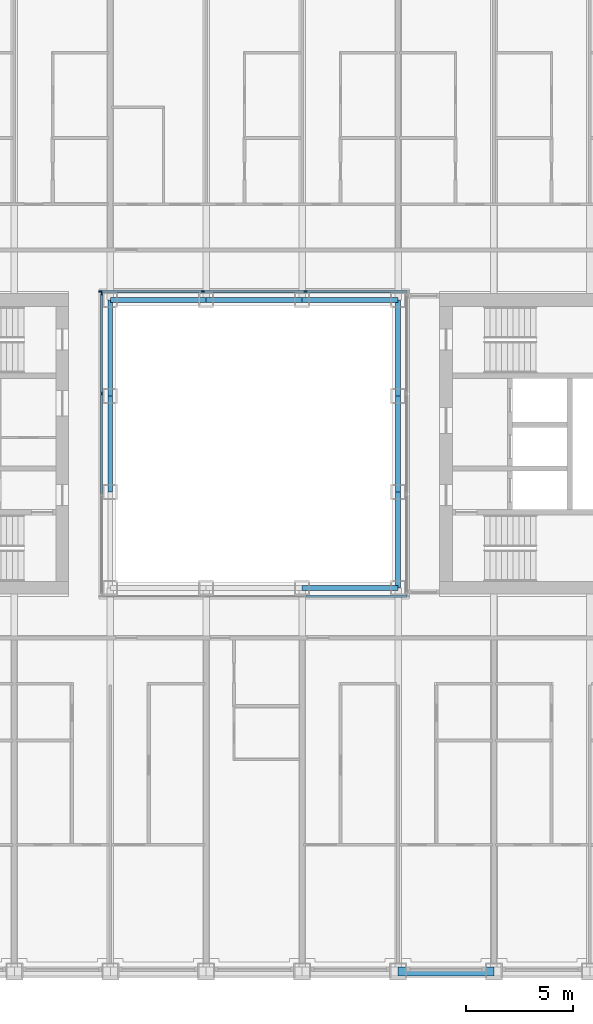
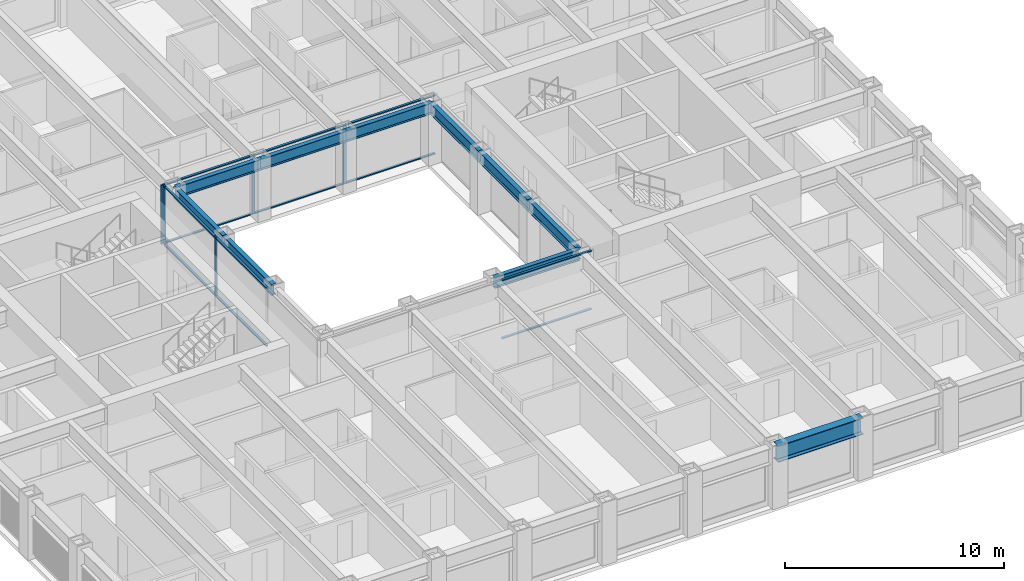
# One storey, part 4 of 21: 17 members, 10 beams, 3 elements without a shape of their own.
"""IFC4 building model written with IfcOpenShell, lengths in metres."""

from ifc_helpers import new_model, si_unit, direction, frame, origin, origin_2d, place, context, subcontext, project, spatial, rectangle, i_section, extrude, material, material_profile, profile_set, type_object, element, aggregate, save


model = new_model("IFC4")

# Units and contexts
model_context = context("Model", 3, precision=1e-05, world=origin(), true_north=direction((0.0, 1.0)))
body_context = subcontext(model_context, "Body", "Model", "MODEL_VIEW")
ifc_project = project(units=[si_unit("LENGTHUNIT", "METRE"), si_unit("AREAUNIT", "SQUARE_METRE"), si_unit("VOLUMEUNIT", "CUBIC_METRE"), si_unit("PLANEANGLEUNIT", "RADIAN"), si_unit("MASSUNIT", "GRAM", prefix="KILO")], contexts=[model_context])

# Site, building, storey
site_placement = place(None, origin())
site = spatial("IfcSite", under=ifc_project, at=site_placement, CompositionType="ELEMENT")
building_placement = place(site_placement, origin())
building = spatial("IfcBuilding", under=site, at=building_placement, Name="Msasa Ring Tower", CompositionType="ELEMENT")
storey_placement = place(building_placement, frame((0.0, 0.0, 75.5)))
storey = spatial("IfcBuildingStorey", under=building, at=storey_placement, Name="L19", CompositionType="ELEMENT", Elevation=75.5)

# Curtain wall, members
ifc_material_1 = material(Name="Aluminium curtain wall with clear glass", Category="aluminium")
curtain_wall_type = type_object("IfcCurtainWallType", Name="CW-W LIGHT WELL CURTAIN WALL", PredefinedType="NOTDEFINED", material=ifc_material_1)
curtain_wall_1_placement = place(storey_placement, origin())
curtain_wall_1 = element("IfcCurtainWall", 1, at=curtain_wall_1_placement, inside=storey, type_object=curtain_wall_type, Name="Light well curtain wall N L19", PredefinedType="NOTDEFINED")
ifc_material_2 = material(Name="Aluminium mullion", Category="aluminium")
ifc_material_profile_1 = material_profile(ifc_material_2, rectangle(XDim=0.06005859375, YDim=0.159912109375, at=origin_2d()), Name="AL 60x160")
ifc_profile_set_1 = profile_set([ifc_material_profile_1], Name="Aluminium mullion")
member_type_1 = type_object("IfcMemberType", Name="CW-W MULLION 60x160", PredefinedType="MULLION", material=ifc_profile_set_1)
member_1_placement = place(storey_placement, frame((-7.199951171875, 7.14990234375, 0.0), z_axis=(0.0, 0.0, 1.0), x_axis=(0.0, 1.0, 0.0)))
member_1 = element("IfcMember", 2, at=member_1_placement, type_object=member_type_1, Name="CW-W mullion 1", PredefinedType="MULLION", context=body_context, shape_type="SweptSolid", body=[
    extrude(rectangle(XDim=0.06005859375, YDim=0.159912109375, at=origin_2d()), origin(), (0.0, 0.0, 1.0), 3.300048828125),
])
member_2_placement = place(storey_placement, frame((-2.409912109375, 7.14990234375, 0.0), z_axis=(0.0, 0.0, 1.0), x_axis=(0.0, 1.0, 0.0)))
member_2 = element("IfcMember", 3, at=member_2_placement, type_object=member_type_1, Name="CW-W mullion 2", PredefinedType="MULLION", context=body_context, shape_type="SweptSolid", body=[
    extrude(rectangle(XDim=0.06005859375, YDim=0.159912109375, at=origin_2d()), origin(), (0.0, 0.0, 1.0), 3.300048828125),
])
member_3_placement = place(storey_placement, frame((2.409912109375, 7.14990234375, 0.0), z_axis=(0.0, 0.0, 1.0), x_axis=(0.0, 1.0, 0.0)))
member_3 = element("IfcMember", 4, at=member_3_placement, type_object=member_type_1, Name="CW-W mullion 3", PredefinedType="MULLION", context=body_context, shape_type="SweptSolid", body=[
    extrude(rectangle(XDim=0.06005859375, YDim=0.159912109375, at=origin_2d()), origin(), (0.0, 0.0, 1.0), 3.300048828125),
])

curtain_wall_2_placement = place(storey_placement, origin())
curtain_wall_2 = element("IfcCurtainWall", 5, at=curtain_wall_2_placement, inside=storey, type_object=curtain_wall_type, Name="Light well curtain wall W L19", PredefinedType="NOTDEFINED")
member_4_placement = place(storey_placement, frame((-7.14990234375, 2.356689453125, 0.0), z_axis=(0.0, 0.0, 1.0), x_axis=(-1.0, 0.0, 0.0)))
member_4 = element("IfcMember", 6, at=member_4_placement, type_object=member_type_1, Name="CW-W mullion 3", PredefinedType="MULLION", context=body_context, shape_type="SweptSolid", body=[
    extrude(rectangle(XDim=0.06005859375, YDim=0.159912109375, at=origin_2d()), origin(), (0.0, 0.0, 1.0), 3.300048828125),
])
member_5_placement = place(storey_placement, frame((-7.14990234375, 7.0400390625, 0.0), z_axis=(0.0, 0.0, 1.0), x_axis=(-1.0, 0.0, 0.0)))
member_5 = element("IfcMember", 7, at=member_5_placement, type_object=member_type_1, Name="CW-W mullion 4", PredefinedType="MULLION", context=body_context, shape_type="SweptSolid", body=[
    extrude(rectangle(XDim=0.06005859375, YDim=0.159912109375, at=origin_2d()), origin(), (0.0, 0.0, 1.0), 3.300048828125),
])

# Member
ifc_material_3 = material(Name="Aluminium transom", Category="aluminium")
ifc_material_profile_2 = material_profile(ifc_material_3, rectangle(XDim=0.1201171875, YDim=0.06005859375, at=origin_2d()), Name="AL 60x120")
ifc_profile_set_2 = profile_set([ifc_material_profile_2], Name="Aluminium transom")
member_type_2 = type_object("IfcMemberType", Name="CW-W TRANSOM 60x120", PredefinedType="USERDEFINED", material=ifc_profile_set_2)
member_6_placement = place(storey_placement, frame((-7.169921875, 7.14990234375, 0.030029296875), z_axis=(1.0, 0.0, 0.0), x_axis=(0.0, 1.0, 0.0)))
member_6 = element("IfcMember", 8, at=member_6_placement, type_object=member_type_2, Name="CW-W transom 1.1", ObjectType="TRANSOM", PredefinedType="USERDEFINED", context=body_context, shape_type="SweptSolid", body=[
    extrude(rectangle(XDim=0.1201171875, YDim=0.06005859375, at=origin_2d()), origin(), (0.0, 0.0, 1.0), 4.72998046875),
])

member_7_placement = place(storey_placement, frame((-7.169921875, 7.14990234375, 3.27001953125), z_axis=(1.0, 0.0, 0.0), x_axis=(0.0, 1.0, 0.0)))
member_7 = element("IfcMember", 9, at=member_7_placement, type_object=member_type_2, Name="CW-W transom 1.2", ObjectType="TRANSOM", PredefinedType="USERDEFINED", context=body_context, shape_type="SweptSolid", body=[
    extrude(rectangle(XDim=0.1201171875, YDim=0.06005859375, at=origin_2d()), origin(), (0.0, 0.0, 1.0), 4.72998046875),
])

member_8_placement = place(storey_placement, frame((-2.3798828125, 7.14990234375, 0.030029296875), z_axis=(1.0, 0.0, 0.0), x_axis=(0.0, 1.0, 0.0)))
member_8 = element("IfcMember", 10, at=member_8_placement, type_object=member_type_2, Name="CW-W transom 2.1", ObjectType="TRANSOM", PredefinedType="USERDEFINED", context=body_context, shape_type="SweptSolid", body=[
    extrude(rectangle(XDim=0.1201171875, YDim=0.06005859375, at=origin_2d()), origin(), (0.0, 0.0, 1.0), 4.759765625),
])

member_9_placement = place(storey_placement, frame((-2.3798828125, 7.14990234375, 3.27001953125), z_axis=(1.0, 0.0, 0.0), x_axis=(0.0, 1.0, 0.0)))
member_9 = element("IfcMember", 11, at=member_9_placement, type_object=member_type_2, Name="CW-W transom 2.2", ObjectType="TRANSOM", PredefinedType="USERDEFINED", context=body_context, shape_type="SweptSolid", body=[
    extrude(rectangle(XDim=0.1201171875, YDim=0.06005859375, at=origin_2d()), origin(), (0.0, 0.0, 1.0), 4.759765625),
])

member_10_placement = place(storey_placement, frame((2.43994140625, 7.14990234375, 0.030029296875), z_axis=(1.0, 0.0, 0.0), x_axis=(0.0, 1.0, 0.0)))
member_10 = element("IfcMember", 12, at=member_10_placement, type_object=member_type_2, Name="CW-W transom 3.1", ObjectType="TRANSOM", PredefinedType="USERDEFINED", context=body_context, shape_type="SweptSolid", body=[
    extrude(rectangle(XDim=0.1201171875, YDim=0.06005859375, at=origin_2d()), origin(), (0.0, 0.0, 1.0), 4.72998046875),
])

member_11_placement = place(storey_placement, frame((2.43994140625, 7.14990234375, 3.27001953125), z_axis=(1.0, 0.0, 0.0), x_axis=(0.0, 1.0, 0.0)))
member_11 = element("IfcMember", 13, at=member_11_placement, type_object=member_type_2, Name="CW-W transom 3.2", ObjectType="TRANSOM", PredefinedType="USERDEFINED", context=body_context, shape_type="SweptSolid", body=[
    extrude(rectangle(XDim=0.1201171875, YDim=0.06005859375, at=origin_2d()), origin(), (0.0, 0.0, 1.0), 4.72998046875),
])

aggregate(curtain_wall_1, [member_1, member_2, member_3, member_6, member_7, member_8, member_9, member_10, member_11])

# Curtain wall, members
curtain_wall_3_placement = place(storey_placement, origin())
curtain_wall_3 = element("IfcCurtainWall", 14, at=curtain_wall_3_placement, inside=storey, type_object=curtain_wall_type, Name="Light well curtain wall S L19", PredefinedType="NOTDEFINED")
member_12_placement = place(storey_placement, frame((2.43994140625, -7.14990234375, 0.030029296875), z_axis=(1.0, 0.0, 0.0), x_axis=(0.0, 1.0, 0.0)))
member_12 = element("IfcMember", 15, at=member_12_placement, type_object=member_type_2, Name="CW-W transom 3.1", ObjectType="TRANSOM", PredefinedType="USERDEFINED", context=body_context, shape_type="SweptSolid", body=[
    extrude(rectangle(XDim=0.1201171875, YDim=0.06005859375, at=origin_2d()), origin(), (0.0, 0.0, 1.0), 4.72998046875),
])
member_13_placement = place(storey_placement, frame((2.43994140625, -7.14990234375, 3.27001953125), z_axis=(1.0, 0.0, 0.0), x_axis=(0.0, 1.0, 0.0)))
member_13 = element("IfcMember", 16, at=member_13_placement, type_object=member_type_2, Name="CW-W transom 3.2", ObjectType="TRANSOM", PredefinedType="USERDEFINED", context=body_context, shape_type="SweptSolid", body=[
    extrude(rectangle(XDim=0.1201171875, YDim=0.06005859375, at=origin_2d()), origin(), (0.0, 0.0, 1.0), 4.72998046875),
])
aggregate(curtain_wall_3, [member_12, member_13])

# Member
member_14_placement = place(storey_placement, frame((-7.14990234375, -2.32666015625, 0.030029296875), z_axis=(0.0, 1.0, 0.0), x_axis=(-1.0, 0.0, 0.0)))
member_14 = element("IfcMember", 17, at=member_14_placement, type_object=member_type_2, Name="CW-W transom 2.1", ObjectType="TRANSOM", PredefinedType="USERDEFINED", context=body_context, shape_type="SweptSolid", body=[
    extrude(rectangle(XDim=0.1201171875, YDim=0.06005859375, at=origin_2d()), origin(), (0.0, 0.0, 1.0), 4.6533203125),
])

member_15_placement = place(storey_placement, frame((-7.14990234375, -2.32666015625, 3.27001953125), z_axis=(0.0, 1.0, 0.0), x_axis=(-1.0, 0.0, 0.0)))
member_15 = element("IfcMember", 18, at=member_15_placement, type_object=member_type_2, Name="CW-W transom 2.2", ObjectType="TRANSOM", PredefinedType="USERDEFINED", context=body_context, shape_type="SweptSolid", body=[
    extrude(rectangle(XDim=0.1201171875, YDim=0.06005859375, at=origin_2d()), origin(), (0.0, 0.0, 1.0), 4.6533203125),
])

member_16_placement = place(storey_placement, frame((-7.14990234375, 2.38671875, 0.030029296875), z_axis=(0.0, 1.0, 0.0), x_axis=(-1.0, 0.0, 0.0)))
member_16 = element("IfcMember", 19, at=member_16_placement, type_object=member_type_2, Name="CW-W transom 3.1", ObjectType="TRANSOM", PredefinedType="USERDEFINED", context=body_context, shape_type="SweptSolid", body=[
    extrude(rectangle(XDim=0.1201171875, YDim=0.06005859375, at=origin_2d()), origin(), (0.0, 0.0, 1.0), 4.623291015625),
])

member_17_placement = place(storey_placement, frame((-7.14990234375, 2.38671875, 3.27001953125), z_axis=(0.0, 1.0, 0.0), x_axis=(-1.0, 0.0, 0.0)))
member_17 = element("IfcMember", 20, at=member_17_placement, type_object=member_type_2, Name="CW-W transom 3.2", ObjectType="TRANSOM", PredefinedType="USERDEFINED", context=body_context, shape_type="SweptSolid", body=[
    extrude(rectangle(XDim=0.1201171875, YDim=0.06005859375, at=origin_2d()), origin(), (0.0, 0.0, 1.0), 4.623291015625),
])

aggregate(curtain_wall_2, [member_4, member_5, member_14, member_15, member_16, member_17])

# Beams
ifc_material_4 = material(Name="Steel S355", Category="steel")
ifc_material_profile_3 = material_profile(ifc_material_4, i_section(OverallWidth=0.230224609375, OverallDepth=0.6171875, WebThickness=0.01318359375, FlangeThickness=0.022216796875, FilletRadius=0.0126953125, at=origin_2d()), Name="UB 610x229x140")
ifc_profile_set_3 = profile_set([ifc_material_profile_3], Name="Steel S355")
beam_type_1 = type_object("IfcBeamType", Name="RB1 UB 610x229x140", PredefinedType="BEAM", material=ifc_profile_set_3)
for number, where, z_axis, x_axis, name in (
    (21, (2.25, -6.75, 2.991455078125), (1.0, 0.0, 0.0), (0.0, 1.0, 0.0), "Inner ring beam IR+2.25-6.75 under L20"),
    (22, (6.75, -6.75, 2.991455078125), (0.0, 1.0, 0.0), (-1.0, 0.0, 0.0), "Inner ring beam IR+6.75-6.75 under L20"),
    (23, (6.75, -2.25, 2.991455078125), (0.0, 1.0, 0.0), (-1.0, 0.0, 0.0), "Inner ring beam IR+6.75-2.25 under L20"),
    (24, (6.75, 2.25, 2.991455078125), (0.0, 1.0, 0.0), (-1.0, 0.0, 0.0), "Inner ring beam IR+6.75+2.25 under L20"),
    (25, (6.75, 6.75, 2.991455078125), (-1.0, 0.0, 0.0), (0.0, -1.0, 0.0), "Inner ring beam IR+6.75+6.75 under L20"),
    (26, (2.25, 6.75, 2.991455078125), (-1.0, 0.0, 0.0), (0.0, -1.0, 0.0), "Inner ring beam IR+2.25+6.75 under L20"),
    (27, (-2.25, 6.75, 2.991455078125), (-1.0, 0.0, 0.0), (0.0, -1.0, 0.0), "Inner ring beam IR-2.25+6.75 under L20"),
    (28, (-6.75, 6.75, 2.991455078125), (0.0, -1.0, 0.0), (1.0, 0.0, 0.0), "Inner ring beam IR-6.75+6.75 under L20"),
    (29, (-6.75, 2.25, 2.991455078125), (0.0, -1.0, 0.0), (1.0, 0.0, 0.0), "Inner ring beam IR-6.75+2.25 under L20"),
):
    element("IfcBeam", number, at=place(storey_placement, frame(where, z_axis=z_axis, x_axis=x_axis)), inside=storey, type_object=beam_type_1, Name=name, PredefinedType="BEAM", context=body_context, shape_type="SweptSolid", body=[
        extrude(i_section(OverallWidth=0.230224609375, OverallDepth=0.6171875, WebThickness=0.01318359375, FlangeThickness=0.022216796875, FilletRadius=0.0126953125, at=origin_2d()), origin(), (0.0, 0.0, 1.0), 4.5),
    ])
ifc_material_5 = material(Name="Steel S355", Category="steel")
ifc_material_profile_4 = material_profile(ifc_material_5, i_section(OverallWidth=0.42041015625, OverallDepth=0.9208984375, WebThickness=0.021484375, FlangeThickness=0.03662109375, FilletRadius=0.024169921875, at=origin_2d()), Name="UB 914x419x388")
ifc_profile_set_4 = profile_set([ifc_material_profile_4], Name="Steel S355")
beam_type_2 = type_object("IfcBeamType", Name="SB1 UB 914x419x388", PredefinedType="SPANDREL", material=ifc_profile_set_4)
beam_placement = place(storey_placement, frame((6.75, -24.75, 2.839599609375), z_axis=(1.0, 0.0, 0.0), x_axis=(0.0, 1.0, 0.0)))
element("IfcBeam", 30, at=beam_placement, inside=storey, type_object=beam_type_2, Name="Spandrel S+6.75 to S+11.25 under L20", PredefinedType="SPANDREL", context=body_context, shape_type="SweptSolid", body=[
    extrude(i_section(OverallWidth=0.42041015625, OverallDepth=0.9208984375, WebThickness=0.021484375, FlangeThickness=0.03662109375, FilletRadius=0.024169921875, at=origin_2d()), origin(), (0.0, 0.0, 1.0), 4.5),
])

save(model, "model.ifc")
